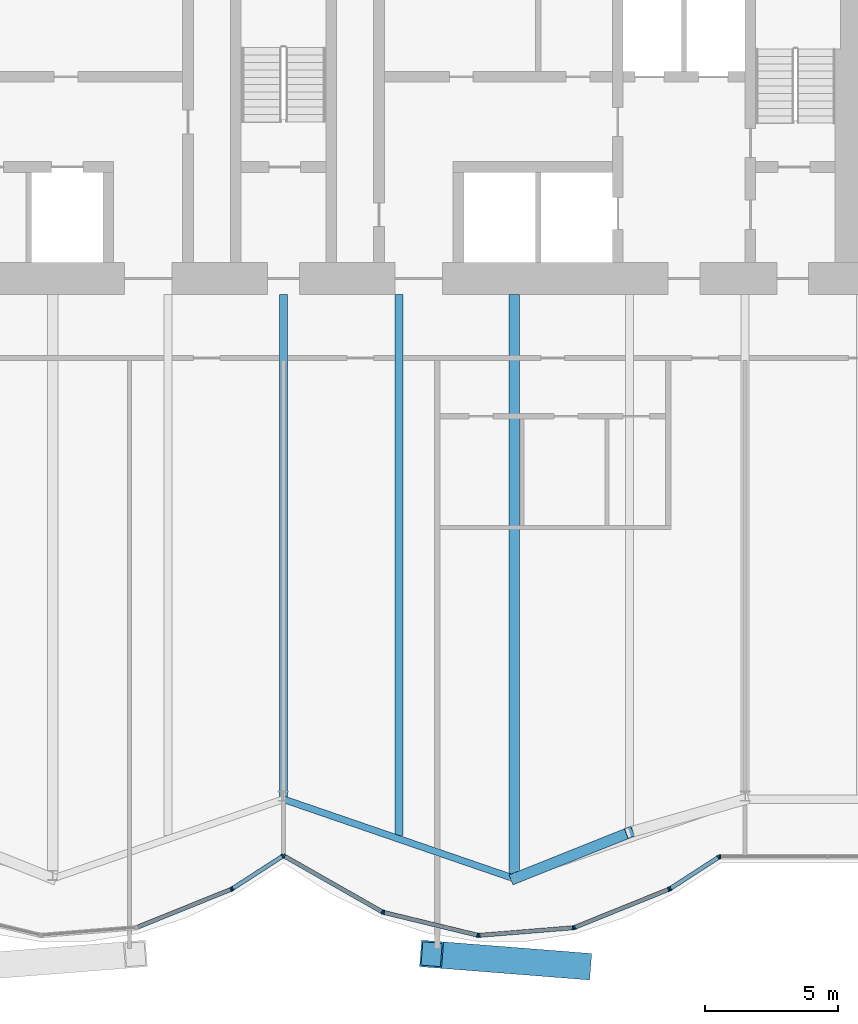
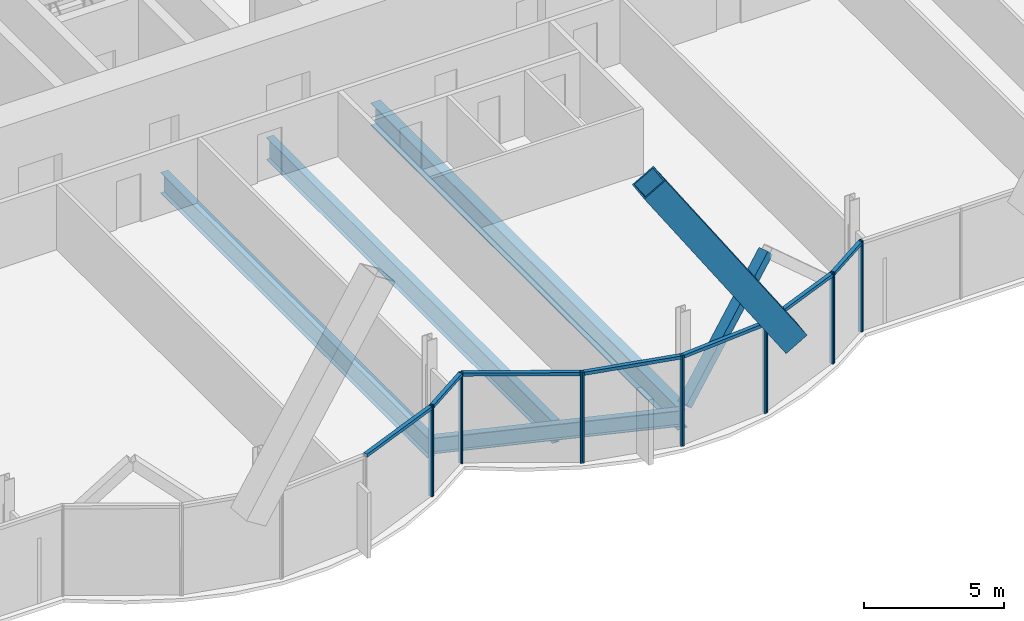
# One storey, part 8 of 22: 23 members, 4 beams, 3 elements without a shape of their own.
"""IFC4 building model written with IfcOpenShell, lengths in metres."""

from ifc_helpers import new_model, si_unit, direction, frame, origin, origin_2d, place, context, subcontext, project, spatial, rectangle, hollow_rectangle, i_section, extrude, material, material_profile, profile_set, type_object, element, aggregate, save


model = new_model("IFC4")

# Units and contexts
model_context = context("Model", 3, precision=1e-05, world=origin(), true_north=direction((0.0, 1.0)))
body_context = subcontext(model_context, "Body", "Model", "MODEL_VIEW")
ifc_project = project(units=[si_unit("LENGTHUNIT", "METRE"), si_unit("AREAUNIT", "SQUARE_METRE"), si_unit("VOLUMEUNIT", "CUBIC_METRE"), si_unit("PLANEANGLEUNIT", "RADIAN"), si_unit("MASSUNIT", "GRAM", prefix="KILO")], contexts=[model_context])

# Site, building, storey
site_placement = place(None, origin())
site = spatial("IfcSite", under=ifc_project, at=site_placement, CompositionType="ELEMENT")
building_placement = place(site_placement, origin())
building = spatial("IfcBuilding", under=site, at=building_placement, Name="Bicima Exchange Tower", CompositionType="ELEMENT")
storey_placement = place(building_placement, frame((0.0, 0.0, 169.10009765625)))
storey = spatial("IfcBuildingStorey", under=building, at=storey_placement, Name="L37", CompositionType="ELEMENT", Elevation=169.10009765625)

# Member
ifc_material_1 = material(Name="Steel ASTM A572 Gr 50", Category="steel")
ifc_material_profile_1 = material_profile(ifc_material_1, hollow_rectangle(XDim=1.0, YDim=1.0, WallThickness=0.06005859375, at=origin_2d()))
ifc_profile_set_1 = profile_set([ifc_material_profile_1], Name="Steel ASTM A572 Gr 50")
member_type_1 = type_object("IfcMemberType", Name="Exo mega brace BOX 1000x1000x60", PredefinedType="BRACE", material=ifc_profile_set_1)
member_1_placement = place(storey_placement, frame((11.166748046875, -38.319091796875, 4.066650390625), z_axis=(-0.55229083796, 0.043468452485, 0.832517461645), x_axis=(-0.078463079856, -0.996917020167, 0.0)))
element("IfcMember", 1, at=member_1_placement, inside=storey, type_object=member_type_1, Name="Exo mega brace front", PredefinedType="BRACE", context=body_context, shape_type="SweptSolid", body=[
    extrude(hollow_rectangle(XDim=1.0, YDim=1.0, WallThickness=0.06005859375, at=origin_2d()), origin(), (0.0, 0.0, 1.0), 10.109619140625),
])

# Beams
ifc_material_2 = material(Name="Steel ASTM A992 Gr 50", Category="steel")
ifc_material_profile_2 = material_profile(ifc_material_2, i_section(OverallWidth=0.3046875, OverallDepth=0.904296875, WebThickness=0.01513671875, FlangeThickness=0.02001953125, at=origin_2d()))
ifc_profile_set_2 = profile_set([ifc_material_profile_2], Name="Steel ASTM A992 Gr 50")
beam_type_1 = type_object("IfcBeamType", Name="Floor beam W36x135", PredefinedType="JOIST", material=ifc_profile_set_2)
beam_1_placement = place(storey_placement, frame((0.0, -13.0, -0.602294921875), z_axis=(0.0, -1.0, 0.0), x_axis=(1.0, 0.0, 0.0)))
element("IfcBeam", 2, at=beam_1_placement, inside=storey, type_object=beam_type_1, Name="Floor beam", PredefinedType="JOIST", context=body_context, shape_type="SweptSolid", body=[
    extrude(i_section(OverallWidth=0.3046875, OverallDepth=0.904296875, WebThickness=0.01513671875, FlangeThickness=0.02001953125, at=origin_2d()), origin(), (0.0, 0.0, 1.0), 19.035888671875),
])
ifc_material_profile_3 = material_profile(ifc_material_2, i_section(OverallWidth=0.2998046875, OverallDepth=0.97021484375, WebThickness=0.01611328125, FlangeThickness=0.02099609375, at=origin_2d()))
ifc_profile_set_3 = profile_set([ifc_material_profile_3], Name="Steel ASTM A992 Gr 50")
beam_type_2 = type_object("IfcBeamType", Name="Floor beam W40x149", PredefinedType="JOIST", material=ifc_profile_set_3)
beam_2_placement = place(storey_placement, frame((4.35009765625, -13.0, -0.63525390625), z_axis=(0.0, -1.0, 0.0), x_axis=(1.0, 0.0, 0.0)))
element("IfcBeam", 3, at=beam_2_placement, inside=storey, type_object=beam_type_2, Name="Floor beam", PredefinedType="JOIST", context=body_context, shape_type="SweptSolid", body=[
    extrude(i_section(OverallWidth=0.2998046875, OverallDepth=0.97021484375, WebThickness=0.01611328125, FlangeThickness=0.02099609375, at=origin_2d()), origin(), (0.0, 0.0, 1.0), 20.39599609375),
])
ifc_material_profile_4 = material_profile(ifc_material_2, i_section(OverallWidth=0.4013671875, OverallDepth=0.990478515625, WebThickness=0.0166015625, FlangeThickness=0.031005859375, at=origin_2d()))
ifc_profile_set_4 = profile_set([ifc_material_profile_4], Name="Steel ASTM A992 Gr 50")
beam_type_3 = type_object("IfcBeamType", Name="Floor beam W40x215", PredefinedType="JOIST", material=ifc_profile_set_4)
beam_3_placement = place(storey_placement, frame((8.699951171875, -13.0, -0.6455078125), z_axis=(0.0, -1.0, 0.0), x_axis=(1.0, 0.0, 0.0)))
element("IfcBeam", 4, at=beam_3_placement, inside=storey, type_object=beam_type_3, Name="Floor beam", PredefinedType="JOIST", context=body_context, shape_type="SweptSolid", body=[
    extrude(i_section(OverallWidth=0.4013671875, OverallDepth=0.990478515625, WebThickness=0.0166015625, FlangeThickness=0.031005859375, at=origin_2d()), origin(), (0.0, 0.0, 1.0), 21.891357421875),
])
ifc_material_profile_5 = material_profile(ifc_material_2, i_section(OverallWidth=0.256591796875, OverallDepth=0.693359375, WebThickness=0.014404296875, FlangeThickness=0.023681640625, at=origin_2d()))
ifc_profile_set_5 = profile_set([ifc_material_profile_5], Name="Steel ASTM A992 Gr 50")
beam_type_4 = type_object("IfcBeamType", Name="Front girder W27x114", PredefinedType="BEAM", material=ifc_profile_set_5)
beam_4_placement = place(storey_placement, frame((0.0, -32.035888671875, -0.496826171875), z_axis=(0.945666456746, -0.325138359143, 0.0), x_axis=(0.325138359143, 0.945666456746, 0.0)))
element("IfcBeam", 5, at=beam_4_placement, inside=storey, type_object=beam_type_4, Name="Front girder", PredefinedType="BEAM", context=body_context, shape_type="SweptSolid", body=[
    extrude(i_section(OverallWidth=0.256591796875, OverallDepth=0.693359375, WebThickness=0.014404296875, FlangeThickness=0.023681640625, at=origin_2d()), origin(), (0.0, 0.0, 1.0), 9.19970703125),
])

# Curtain wall, members
ifc_material_3 = material(Name="Anodised bronze aluminium", Category="aluminium")
curtain_wall_type = type_object("IfcCurtainWallType", Name="Front glass wall", PredefinedType="NOTDEFINED", material=ifc_material_3)
curtain_wall_1_placement = place(storey_placement, origin())
curtain_wall_1 = element("IfcCurtainWall", 6, at=curtain_wall_1_placement, inside=storey, type_object=curtain_wall_type, Name="Front glass wall L37 run 6", PredefinedType="NOTDEFINED")
ifc_material_profile_6 = material_profile(ifc_material_3, rectangle(XDim=0.159912109375, YDim=0.06005859375, at=origin_2d()))
ifc_profile_set_6 = profile_set([ifc_material_profile_6], Name="Anodised bronze aluminium")
member_type_2 = type_object("IfcMemberType", Name="Front glass wall mullion 60 x 160", PredefinedType="MULLION", material=ifc_profile_set_6)
member_2_placement = place(storey_placement, frame((-1.97412109375, -35.431640625, 0.0), z_axis=(0.0, 0.0, 1.0), x_axis=(-0.374705304, 0.92714396679, 0.0)))
member_2 = element("IfcMember", 7, at=member_2_placement, type_object=member_type_2, Name="Front glass wall mullion 2", PredefinedType="MULLION", context=body_context, shape_type="SweptSolid", body=[
    extrude(rectangle(XDim=0.159912109375, YDim=0.06005859375, at=origin_2d()), origin(), (0.0, 0.0, 1.0), 3.949951171875),
])
member_3_placement = place(storey_placement, frame((-1.921142578125, -35.404052734375, 0.0), z_axis=(0.0, 0.0, 1.0), x_axis=(-0.542897457326, 0.839798994301, 0.0)))
member_3 = element("IfcMember", 8, at=member_3_placement, type_object=member_type_2, Name="Front glass wall mullion 1", PredefinedType="MULLION", context=body_context, shape_type="SweptSolid", body=[
    extrude(rectangle(XDim=0.159912109375, YDim=0.06005859375, at=origin_2d()), origin(), (0.0, 0.0, 1.0), 3.949951171875),
])
member_4_placement = place(storey_placement, frame((-0.025146484375, -34.178466796875, 0.0), z_axis=(0.0, 0.0, 1.0), x_axis=(-0.542897457326, 0.839798994301, 0.0)))
member_4 = element("IfcMember", 9, at=member_4_placement, type_object=member_type_2, Name="Front glass wall mullion 2", PredefinedType="MULLION", context=body_context, shape_type="SweptSolid", body=[
    extrude(rectangle(XDim=0.159912109375, YDim=0.06005859375, at=origin_2d()), origin(), (0.0, 0.0, 1.0), 3.949951171875),
])

curtain_wall_2_placement = place(storey_placement, origin())
curtain_wall_2 = element("IfcCurtainWall", 10, at=curtain_wall_2_placement, inside=storey, type_object=curtain_wall_type, Name="Front glass wall L37 run 11", PredefinedType="NOTDEFINED")
member_5_placement = place(storey_placement, frame((0.026123046875, -34.177001953125, 0.0), z_axis=(0.0, 0.0, 1.0), x_axis=(0.494330311331, 0.869274147378, 0.0)))
member_5 = element("IfcMember", 11, at=member_5_placement, type_object=member_type_2, Name="Front glass wall mullion 1", PredefinedType="MULLION", context=body_context, shape_type="SweptSolid", body=[
    extrude(rectangle(XDim=0.159912109375, YDim=0.06005859375, at=origin_2d()), origin(), (0.0, 0.0, 1.0), 3.949951171875),
])
member_6_placement = place(storey_placement, frame((3.7265625, -36.281494140625, 0.0), z_axis=(0.0, 0.0, 1.0), x_axis=(0.494330311331, 0.869274147378, 0.0)))
member_6 = element("IfcMember", 12, at=member_6_placement, type_object=member_type_2, Name="Front glass wall mullion 2", PredefinedType="MULLION", context=body_context, shape_type="SweptSolid", body=[
    extrude(rectangle(XDim=0.159912109375, YDim=0.06005859375, at=origin_2d()), origin(), (0.0, 0.0, 1.0), 3.949951171875),
])
member_7_placement = place(storey_placement, frame((3.781982421875, -36.30322265625, 0.0), z_axis=(0.0, 0.0, 1.0), x_axis=(0.235681529503, 0.971830343553, 0.0)))
member_7 = element("IfcMember", 13, at=member_7_placement, type_object=member_type_2, Name="Front glass wall mullion 1", PredefinedType="MULLION", context=body_context, shape_type="SweptSolid", body=[
    extrude(rectangle(XDim=0.159912109375, YDim=0.06005859375, at=origin_2d()), origin(), (0.0, 0.0, 1.0), 3.949951171875),
])
member_8_placement = place(storey_placement, frame((7.322509765625, -37.161865234375, 0.0), z_axis=(0.0, 0.0, 1.0), x_axis=(0.235681529503, 0.971830343553, 0.0)))
member_8 = element("IfcMember", 14, at=member_8_placement, type_object=member_type_2, Name="Front glass wall mullion 2", PredefinedType="MULLION", context=body_context, shape_type="SweptSolid", body=[
    extrude(rectangle(XDim=0.159912109375, YDim=0.06005859375, at=origin_2d()), origin(), (0.0, 0.0, 1.0), 3.949951171875),
])
member_9_placement = place(storey_placement, frame((7.381591796875, -37.16650390625, 0.0), z_axis=(0.0, 0.0, 1.0), x_axis=(-0.080588612633, 0.99674744821, 0.0)))
member_9 = element("IfcMember", 15, at=member_9_placement, type_object=member_type_2, Name="Front glass wall mullion 1", PredefinedType="MULLION", context=body_context, shape_type="SweptSolid", body=[
    extrude(rectangle(XDim=0.159912109375, YDim=0.06005859375, at=origin_2d()), origin(), (0.0, 0.0, 1.0), 3.949951171875),
])
member_10_placement = place(storey_placement, frame((10.916015625, -36.880859375, 0.0), z_axis=(0.0, 0.0, 1.0), x_axis=(-0.080588612633, 0.99674744821, 0.0)))
member_10 = element("IfcMember", 16, at=member_10_placement, type_object=member_type_2, Name="Front glass wall mullion 2", PredefinedType="MULLION", context=body_context, shape_type="SweptSolid", body=[
    extrude(rectangle(XDim=0.159912109375, YDim=0.06005859375, at=origin_2d()), origin(), (0.0, 0.0, 1.0), 3.949951171875),
])
member_11_placement = place(storey_placement, frame((10.973876953125, -36.8671875, 0.0), z_axis=(0.0, 0.0, 1.0), x_axis=(-0.374705304, 0.92714396679, 0.0)))
member_11 = element("IfcMember", 17, at=member_11_placement, type_object=member_type_2, Name="Front glass wall mullion 1", PredefinedType="MULLION", context=body_context, shape_type="SweptSolid", body=[
    extrude(rectangle(XDim=0.159912109375, YDim=0.06005859375, at=origin_2d()), origin(), (0.0, 0.0, 1.0), 3.949951171875),
])
member_12_placement = place(storey_placement, frame((14.52587890625, -35.431640625, 0.0), z_axis=(0.0, 0.0, 1.0), x_axis=(-0.374705304, 0.92714396679, 0.0)))
member_12 = element("IfcMember", 18, at=member_12_placement, type_object=member_type_2, Name="Front glass wall mullion 2", PredefinedType="MULLION", context=body_context, shape_type="SweptSolid", body=[
    extrude(rectangle(XDim=0.159912109375, YDim=0.06005859375, at=origin_2d()), origin(), (0.0, 0.0, 1.0), 3.949951171875),
])
member_13_placement = place(storey_placement, frame((14.578857421875, -35.404052734375, 0.0), z_axis=(0.0, 0.0, 1.0), x_axis=(-0.542909183079, 0.839791413941, 0.0)))
member_13 = element("IfcMember", 19, at=member_13_placement, type_object=member_type_2, Name="Front glass wall mullion 1", PredefinedType="MULLION", context=body_context, shape_type="SweptSolid", body=[
    extrude(rectangle(XDim=0.159912109375, YDim=0.06005859375, at=origin_2d()), origin(), (0.0, 0.0, 1.0), 3.949951171875),
])
member_14_placement = place(storey_placement, frame((16.406982421875, -34.222412109375, 0.0), z_axis=(0.0, 0.0, 1.0), x_axis=(-0.542909183079, 0.839791413941, 0.0)))
member_14 = element("IfcMember", 20, at=member_14_placement, type_object=member_type_2, Name="Front glass wall mullion 2", PredefinedType="MULLION", context=body_context, shape_type="SweptSolid", body=[
    extrude(rectangle(XDim=0.159912109375, YDim=0.06005859375, at=origin_2d()), origin(), (0.0, 0.0, 1.0), 3.949951171875),
])

# Curtain wall, member
curtain_wall_3_placement = place(storey_placement, origin())
curtain_wall_3 = element("IfcCurtainWall", 21, at=curtain_wall_3_placement, inside=storey, type_object=curtain_wall_type, Name="Front glass wall L37 run 16", PredefinedType="NOTDEFINED")
member_15_placement = place(storey_placement, frame((16.462158203125, -34.2060546875, 0.0), z_axis=(0.0, 0.0, 1.0), x_axis=(0.0, 1.0, 0.0)))
member_15 = element("IfcMember", 22, at=member_15_placement, type_object=member_type_2, Name="Front glass wall mullion 1", PredefinedType="MULLION", context=body_context, shape_type="SweptSolid", body=[
    extrude(rectangle(XDim=0.159912109375, YDim=0.06005859375, at=origin_2d()), origin(), (0.0, 0.0, 1.0), 3.949951171875),
])
aggregate(curtain_wall_3, [member_15])

# Member
ifc_material_profile_7 = material_profile(ifc_material_3, rectangle(XDim=0.159912109375, YDim=0.139892578125, at=origin_2d()))
ifc_profile_set_7 = profile_set([ifc_material_profile_7], Name="Anodised bronze aluminium")
member_type_3 = type_object("IfcMemberType", Name="Front glass wall transom 140 x 160", PredefinedType="USERDEFINED", material=ifc_profile_set_7)
member_16_placement = place(storey_placement, frame((-5.498291015625, -36.85595703125, 3.8798828125), z_axis=(0.927140215882, 0.374714584842, 0.0), x_axis=(-0.374714584842, 0.927140215882, 0.0)))
member_16 = element("IfcMember", 23, at=member_16_placement, type_object=member_type_3, Name="Front glass wall transom 1.1", ObjectType="TRANSOM", PredefinedType="USERDEFINED", context=body_context, shape_type="SweptSolid", body=[
    extrude(rectangle(XDim=0.159912109375, YDim=0.139892578125, at=origin_2d()), origin(), (0.0, 0.0, 1.0), 3.77099609375),
])

member_17_placement = place(storey_placement, frame((-1.89599609375, -35.3876953125, 3.8798828125), z_axis=(0.839811483481, 0.542878137536, 0.0), x_axis=(-0.542878137536, 0.839811483481, 0.0)))
member_17 = element("IfcMember", 24, at=member_17_placement, type_object=member_type_3, Name="Front glass wall transom 1.1", ObjectType="TRANSOM", PredefinedType="USERDEFINED", context=body_context, shape_type="SweptSolid", body=[
    extrude(rectangle(XDim=0.159912109375, YDim=0.139892578125, at=origin_2d()), origin(), (0.0, 0.0, 1.0), 2.19775390625),
])

aggregate(curtain_wall_1, [member_2, member_16, member_3, member_4, member_17])

member_18_placement = place(storey_placement, frame((0.05224609375, -34.19189453125, 3.8798828125), z_axis=(0.869265121745, -0.494346182466, 0.0), x_axis=(0.494346182466, 0.869265121745, 0.0)))
member_18 = element("IfcMember", 25, at=member_18_placement, type_object=member_type_3, Name="Front glass wall transom 1.1", ObjectType="TRANSOM", PredefinedType="USERDEFINED", context=body_context, shape_type="SweptSolid", body=[
    extrude(rectangle(XDim=0.159912109375, YDim=0.139892578125, at=origin_2d()), origin(), (0.0, 0.0, 1.0), 4.19677734375),
])

member_19_placement = place(storey_placement, frame((3.81103515625, -36.310302734375, 3.8798828125), z_axis=(0.971833557815, -0.235668275132, 0.0), x_axis=(0.235668275132, 0.971833557815, 0.0)))
member_19 = element("IfcMember", 26, at=member_19_placement, type_object=member_type_3, Name="Front glass wall transom 1.1", ObjectType="TRANSOM", PredefinedType="USERDEFINED", context=body_context, shape_type="SweptSolid", body=[
    extrude(rectangle(XDim=0.159912109375, YDim=0.139892578125, at=origin_2d()), origin(), (0.0, 0.0, 1.0), 3.583251953125),
])

member_20_placement = place(storey_placement, frame((7.41162109375, -37.164306640625, 3.8798828125), z_axis=(0.9967456465, 0.080610893699, 0.0), x_axis=(-0.080610893699, 0.9967456465, 0.0)))
member_20 = element("IfcMember", 27, at=member_20_placement, type_object=member_type_3, Name="Front glass wall transom 1.1", ObjectType="TRANSOM", PredefinedType="USERDEFINED", context=body_context, shape_type="SweptSolid", body=[
    extrude(rectangle(XDim=0.159912109375, YDim=0.139892578125, at=origin_2d()), origin(), (0.0, 0.0, 1.0), 3.48583984375),
])

member_21_placement = place(storey_placement, frame((11.001708984375, -36.85595703125, 3.8798828125), z_axis=(0.927140215882, 0.374714584842, 0.0), x_axis=(-0.374714584842, 0.927140215882, 0.0)))
member_21 = element("IfcMember", 28, at=member_21_placement, type_object=member_type_3, Name="Front glass wall transom 1.1", ObjectType="TRANSOM", PredefinedType="USERDEFINED", context=body_context, shape_type="SweptSolid", body=[
    extrude(rectangle(XDim=0.159912109375, YDim=0.139892578125, at=origin_2d()), origin(), (0.0, 0.0, 1.0), 3.77099609375),
])

member_22_placement = place(storey_placement, frame((14.60400390625, -35.3876953125, 3.8798828125), z_axis=(0.839792890287, 0.542906899407, 0.0), x_axis=(-0.542906899407, 0.839792890287, 0.0)))
member_22 = element("IfcMember", 29, at=member_22_placement, type_object=member_type_3, Name="Front glass wall transom 1.1", ObjectType="TRANSOM", PredefinedType="USERDEFINED", context=body_context, shape_type="SweptSolid", body=[
    extrude(rectangle(XDim=0.159912109375, YDim=0.139892578125, at=origin_2d()), origin(), (0.0, 0.0, 1.0), 2.11669921875),
])

aggregate(curtain_wall_2, [member_5, member_6, member_18, member_7, member_8, member_19, member_9, member_10, member_20, member_11, member_12, member_21, member_13, member_14, member_22])

ifc_material_profile_8 = material_profile(ifc_material_1, hollow_rectangle(XDim=0.406494140625, YDim=0.406494140625, WallThickness=0.017822265625, at=origin_2d()))
ifc_profile_set_8 = profile_set([ifc_material_profile_8], Name="Steel ASTM A572 Gr 50")
member_type_4 = type_object("IfcMemberType", Name="Mega brace HSS16x16x3/4", PredefinedType="BRACE", material=ifc_profile_set_8)
member_23_placement = place(storey_placement, frame((8.699951171875, -35.027099609375, 0.0), z_axis=(0.698744239452, 0.279411421377, 0.658548210412), x_axis=(-0.371291842786, 0.928516218211, 0.0)))
element("IfcMember", 30, at=member_23_placement, inside=storey, type_object=member_type_4, Name="Mega brace front", PredefinedType="BRACE", context=body_context, shape_type="SweptSolid", body=[
    extrude(hollow_rectangle(XDim=0.406494140625, YDim=0.406494140625, WallThickness=0.017822265625, at=origin_2d()), origin(), (0.0, 0.0, 1.0), 6.2255859375),
])

save(model, "model.ifc")
